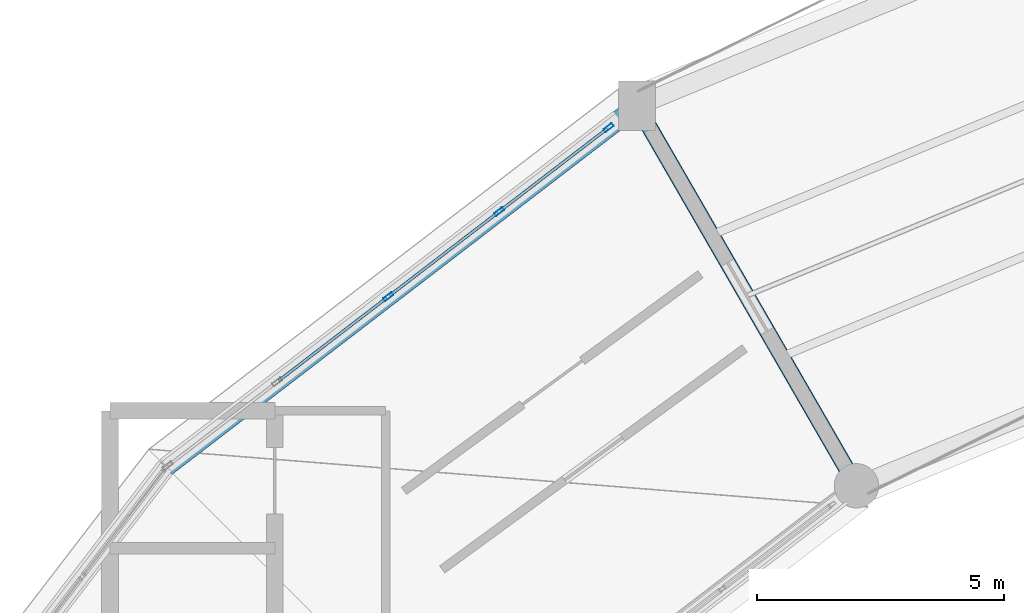
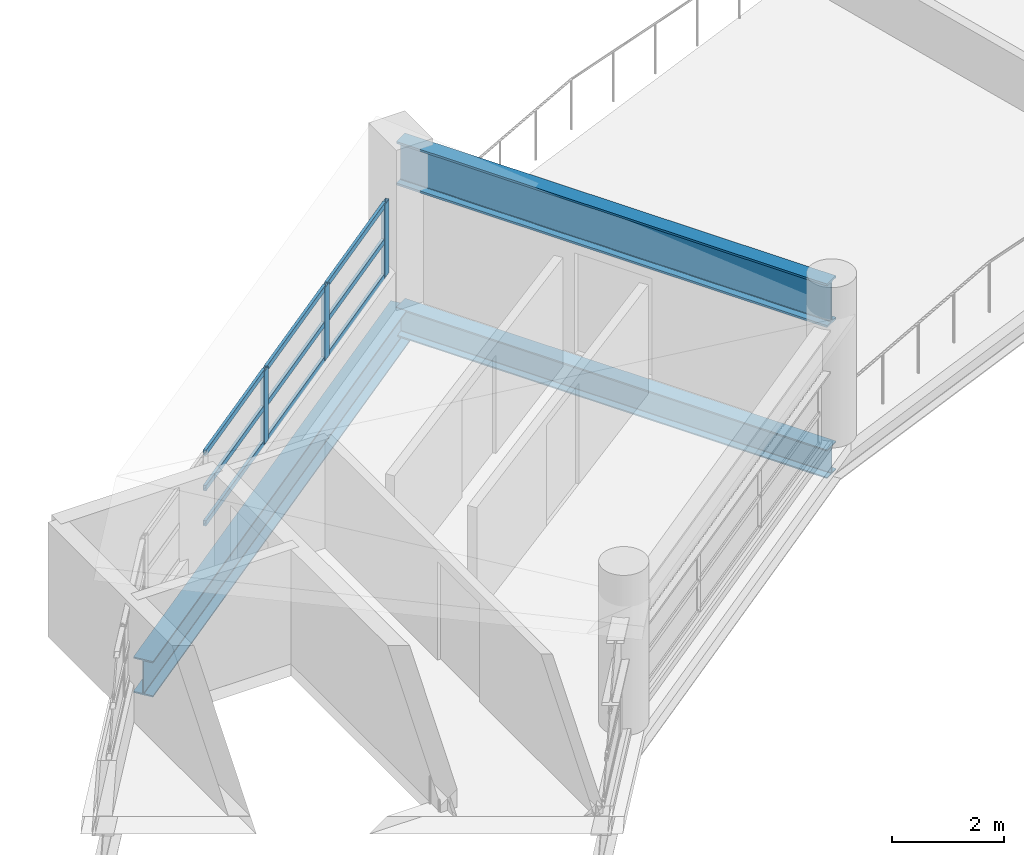
# One storey, part 6 of 12: 12 members, 3 beams, 1 element without a shape of its own.
"""IFC4 building model written with IfcOpenShell, lengths in metres."""

from ifc_helpers import new_model, si_unit, direction, frame, origin, origin_2d, place, context, subcontext, project, spatial, hollow_rectangle, i_section, extrude, material, layer, layer_set, material_profile, profile_set, type_object, element, aggregate, save


model = new_model("IFC4")

# Units and contexts
model_context = context("Model", 3, precision=1e-05, world=origin(), true_north=direction((0.0, 1.0)))
body_context = subcontext(model_context, "Body", "Model", "MODEL_VIEW")
ifc_project = project(units=[si_unit("LENGTHUNIT", "METRE"), si_unit("AREAUNIT", "SQUARE_METRE"), si_unit("VOLUMEUNIT", "CUBIC_METRE"), si_unit("PLANEANGLEUNIT", "RADIAN"), si_unit("MASSUNIT", "GRAM", prefix="KILO")], contexts=[model_context])

# Site, building, storey
site_placement = place(None, origin())
site = spatial("IfcSite", under=ifc_project, at=site_placement, CompositionType="ELEMENT")
building_placement = place(site_placement, origin())
building = spatial("IfcBuilding", under=site, at=building_placement, Name="Vespera Passage Community Centre", CompositionType="ELEMENT")
storey_placement = place(building_placement, frame((0.0, 0.0, 24.300048828125)))
storey = spatial("IfcBuildingStorey", under=building, at=storey_placement, Name="ROOF", CompositionType="ELEMENT", Elevation=24.300048828125)

# Beams
ifc_material_1 = material(Name="Steel ASTM A992 Grade 50", Category="steel")
ifc_material_profile_1 = material_profile(ifc_material_1, i_section(OverallWidth=0.32763671875, OverallDepth=0.62841796875, WebThickness=0.0166015625, FlangeThickness=0.027587890625, FilletRadius=0.0126953125, at=origin_2d()), Name="W24X146")
ifc_profile_set_1 = profile_set([ifc_material_profile_1], Name="Steel ASTM A992 Grade 50")
beam_type_1 = type_object("IfcBeamType", Name="BM-G-W24X146", PredefinedType="BEAM", material=ifc_profile_set_1)
beam_1_placement = place(storey_placement, frame((59.39990234375, 97.716064453125, -0.57421875), z_axis=(-0.499989191739, 0.866031643847, 0.0), x_axis=(-0.866031643847, -0.499989191739, 0.0)))
element("IfcBeam", 1, at=beam_1_placement, inside=storey, type_object=beam_type_1, Name="V4 ROOF Radial Girder 8", PredefinedType="BEAM", context=body_context, shape_type="SweptSolid", body=[
    extrude(i_section(OverallWidth=0.32763671875, OverallDepth=0.62841796875, WebThickness=0.0166015625, FlangeThickness=0.027587890625, FilletRadius=0.0126953125, at=origin_2d()), origin(), (0.0, 0.0, 1.0), 8.900146484375),
])
ifc_material_2 = material(Name="Steel ASTM A992 Grade 50", Category="steel")
ifc_material_profile_2 = material_profile(ifc_material_2, i_section(OverallWidth=0.382080078125, OverallDepth=0.779296875, WebThickness=0.01806640625, FlangeThickness=0.030029296875, FilletRadius=0.0166015625, at=origin_2d()), Name="W30X191")
ifc_profile_set_2 = profile_set([ifc_material_profile_2], Name="Steel ASTM A992 Grade 50")
beam_type_2 = type_object("IfcBeamType", Name="BM-SP-W30X191E", PredefinedType="SPANDREL", material=ifc_profile_set_2)
beam_2_placement = place(storey_placement, frame((54.949951171875, 105.423828125, -0.649658203125), z_axis=(-0.793351934501, -0.608763261066, 0.0), x_axis=(0.608763261066, -0.793351934501, 0.0)))
element("IfcBeam", 2, at=beam_2_placement, inside=storey, type_object=beam_type_2, Name="V4 ROOF Outer Spandrel 8", PredefinedType="SPANDREL", context=body_context, shape_type="SweptSolid", body=[
    extrude(i_section(OverallWidth=0.382080078125, OverallDepth=0.779296875, WebThickness=0.01806640625, FlangeThickness=0.030029296875, FilletRadius=0.0166015625, at=origin_2d()), origin(), (0.0, 0.0, 1.0), 12.034423828125),
])

# Curtain wall, members
ifc_material_3 = material(Name="Anodized aluminium 6063-T6", Category="aluminium")
ifc_layer = layer(ifc_material_3, 0.159912109375)
ifc_layer_set = layer_set([ifc_layer], Name="Anodized aluminium 6063-T6")
curtain_wall_type = type_object("IfcCurtainWallType", Name="CW-79E", PredefinedType="NOTDEFINED", material=ifc_layer_set)
curtain_wall_placement = place(storey_placement, origin())
curtain_wall = element("IfcCurtainWall", 3, at=curtain_wall_placement, inside=storey, type_object=curtain_wall_type, Name="V4 ROOF Outer Ribbon Curtain Wall 8", PredefinedType="NOTDEFINED")
ifc_material_4 = material(Name="Anodized aluminium 6063-T6", Category="aluminium")
ifc_material_profile_3 = material_profile(ifc_material_4, hollow_rectangle(XDim=0.074951171875, YDim=0.2099609375, WallThickness=0.0048828125, InnerFilletRadius=0.00244140625, OuterFilletRadius=0.0048828125, at=origin_2d()), Name="ALU210X75X5")
ifc_profile_set_3 = profile_set([ifc_material_profile_3], Name="Anodized aluminium 6063-T6")
member_type_1 = type_object("IfcMemberType", Name="MB-CWM-210E", PredefinedType="MULLION", material=ifc_profile_set_3)
member_1_placement = place(storey_placement, frame((49.9033203125, 101.551513671875, 0.820068359375), z_axis=(0.0, 0.0, 1.0), x_axis=(-0.608768221519, 0.793348128169, 0.0)))
member_1 = element("IfcMember", 4, at=member_1_placement, type_object=member_type_1, Name="CW-79E mullion 3", PredefinedType="MULLION", context=body_context, shape_type="SweptSolid", body=[
    extrude(hollow_rectangle(XDim=0.074951171875, YDim=0.2099609375, WallThickness=0.0048828125, InnerFilletRadius=0.00244140625, OuterFilletRadius=0.0048828125, at=origin_2d()), origin(), (0.0, 0.0, 1.0), 1.599853515625),
])
member_2_placement = place(storey_placement, frame((52.15380859375, 103.2783203125, 0.820068359375), z_axis=(0.0, 0.0, 1.0), x_axis=(-0.608768221519, 0.793348128169, 0.0)))
member_2 = element("IfcMember", 5, at=member_2_placement, type_object=member_type_1, Name="CW-79E mullion 4", PredefinedType="MULLION", context=body_context, shape_type="SweptSolid", body=[
    extrude(hollow_rectangle(XDim=0.074951171875, YDim=0.2099609375, WallThickness=0.0048828125, InnerFilletRadius=0.00244140625, OuterFilletRadius=0.0048828125, at=origin_2d()), origin(), (0.0, 0.0, 1.0), 1.599853515625),
])
member_3_placement = place(storey_placement, frame((54.374755859375, 104.982421875, 0.820068359375), z_axis=(0.0, 0.0, 1.0), x_axis=(-0.608768221519, 0.793348128169, 0.0)))
member_3 = element("IfcMember", 6, at=member_3_placement, type_object=member_type_1, Name="CW-79E mullion 5", PredefinedType="MULLION", context=body_context, shape_type="SweptSolid", body=[
    extrude(hollow_rectangle(XDim=0.074951171875, YDim=0.2099609375, WallThickness=0.0048828125, InnerFilletRadius=0.00244140625, OuterFilletRadius=0.0048828125, at=origin_2d()), origin(), (0.0, 0.0, 1.0), 1.599853515625),
])
ifc_material_5 = material(Name="Anodized aluminium 6063-T6", Category="aluminium")
ifc_material_profile_4 = material_profile(ifc_material_5, hollow_rectangle(XDim=0.06005859375, YDim=0.1201171875, WallThickness=0.00390625, InnerFilletRadius=0.001953125, OuterFilletRadius=0.00390625, at=origin_2d()), Name="ALU120X60X4")
ifc_profile_set_4 = profile_set([ifc_material_profile_4], Name="Anodized aluminium 6063-T6")
member_type_2 = type_object("IfcMemberType", Name="MB-CWT-120E", PredefinedType="USERDEFINED", material=ifc_profile_set_4)
member_4_placement = place(storey_placement, frame((47.6826171875, 99.847412109375, 0.849853515625), z_axis=(0.793353015375, 0.608761852448, 0.0), x_axis=(-0.608761852448, 0.793353015375, 0.0)))
member_4 = element("IfcMember", 7, at=member_4_placement, type_object=member_type_2, Name="CW-79E transom 2.1", ObjectType="TRANSOM", PredefinedType="USERDEFINED", context=body_context, shape_type="SweptSolid", body=[
    extrude(hollow_rectangle(XDim=0.06005859375, YDim=0.1201171875, WallThickness=0.00390625, InnerFilletRadius=0.001953125, OuterFilletRadius=0.00390625, at=origin_2d()), origin(), (0.0, 0.0, 1.0), 2.761474609375),
])
member_5_placement = place(storey_placement, frame((47.6826171875, 99.847412109375, 1.619873046875), z_axis=(0.793353015375, 0.608761852448, 0.0), x_axis=(-0.608761852448, 0.793353015375, 0.0)))
member_5 = element("IfcMember", 8, at=member_5_placement, type_object=member_type_2, Name="CW-79E transom 2.2", ObjectType="TRANSOM", PredefinedType="USERDEFINED", context=body_context, shape_type="SweptSolid", body=[
    extrude(hollow_rectangle(XDim=0.06005859375, YDim=0.1201171875, WallThickness=0.00390625, InnerFilletRadius=0.001953125, OuterFilletRadius=0.00390625, at=origin_2d()), origin(), (0.0, 0.0, 1.0), 2.761474609375),
])
member_6_placement = place(storey_placement, frame((47.6826171875, 99.847412109375, 2.389892578125), z_axis=(0.793353015375, 0.608761852448, 0.0), x_axis=(-0.608761852448, 0.793353015375, 0.0)))
member_6 = element("IfcMember", 9, at=member_6_placement, type_object=member_type_2, Name="CW-79E transom 2.3", ObjectType="TRANSOM", PredefinedType="USERDEFINED", context=body_context, shape_type="SweptSolid", body=[
    extrude(hollow_rectangle(XDim=0.06005859375, YDim=0.1201171875, WallThickness=0.00390625, InnerFilletRadius=0.001953125, OuterFilletRadius=0.00390625, at=origin_2d()), origin(), (0.0, 0.0, 1.0), 2.761474609375),
])
member_7_placement = place(storey_placement, frame((49.93310546875, 101.57421875, 0.849853515625), z_axis=(0.793385774295, 0.60871915786, 0.0), x_axis=(-0.60871915786, 0.793385774295, 0.0)))
member_7 = element("IfcMember", 10, at=member_7_placement, type_object=member_type_2, Name="CW-79E transom 3.1", ObjectType="TRANSOM", PredefinedType="USERDEFINED", context=body_context, shape_type="SweptSolid", body=[
    extrude(hollow_rectangle(XDim=0.06005859375, YDim=0.1201171875, WallThickness=0.00390625, InnerFilletRadius=0.001953125, OuterFilletRadius=0.00390625, at=origin_2d()), origin(), (0.0, 0.0, 1.0), 2.76171875),
])
member_8_placement = place(storey_placement, frame((49.93310546875, 101.57421875, 1.619873046875), z_axis=(0.793385774295, 0.60871915786, 0.0), x_axis=(-0.60871915786, 0.793385774295, 0.0)))
member_8 = element("IfcMember", 11, at=member_8_placement, type_object=member_type_2, Name="CW-79E transom 3.2", ObjectType="TRANSOM", PredefinedType="USERDEFINED", context=body_context, shape_type="SweptSolid", body=[
    extrude(hollow_rectangle(XDim=0.06005859375, YDim=0.1201171875, WallThickness=0.00390625, InnerFilletRadius=0.001953125, OuterFilletRadius=0.00390625, at=origin_2d()), origin(), (0.0, 0.0, 1.0), 2.76171875),
])
member_9_placement = place(storey_placement, frame((49.93310546875, 101.57421875, 2.389892578125), z_axis=(0.793385774295, 0.60871915786, 0.0), x_axis=(-0.60871915786, 0.793385774295, 0.0)))
member_9 = element("IfcMember", 12, at=member_9_placement, type_object=member_type_2, Name="CW-79E transom 3.3", ObjectType="TRANSOM", PredefinedType="USERDEFINED", context=body_context, shape_type="SweptSolid", body=[
    extrude(hollow_rectangle(XDim=0.06005859375, YDim=0.1201171875, WallThickness=0.00390625, InnerFilletRadius=0.001953125, OuterFilletRadius=0.00390625, at=origin_2d()), origin(), (0.0, 0.0, 1.0), 2.76171875),
])
member_10_placement = place(storey_placement, frame((52.18359375, 103.301025390625, 0.849853515625), z_axis=(0.793359651626, 0.608753203829, 0.0), x_axis=(-0.608753203829, 0.793359651626, 0.0)))
member_10 = element("IfcMember", 13, at=member_10_placement, type_object=member_type_2, Name="CW-79E transom 4.1", ObjectType="TRANSOM", PredefinedType="USERDEFINED", context=body_context, shape_type="SweptSolid", body=[
    extrude(hollow_rectangle(XDim=0.06005859375, YDim=0.1201171875, WallThickness=0.00390625, InnerFilletRadius=0.001953125, OuterFilletRadius=0.00390625, at=origin_2d()), origin(), (0.0, 0.0, 1.0), 2.724365234375),
])
member_11_placement = place(storey_placement, frame((52.18359375, 103.301025390625, 1.619873046875), z_axis=(0.793359651626, 0.608753203829, 0.0), x_axis=(-0.608753203829, 0.793359651626, 0.0)))
member_11 = element("IfcMember", 14, at=member_11_placement, type_object=member_type_2, Name="CW-79E transom 4.2", ObjectType="TRANSOM", PredefinedType="USERDEFINED", context=body_context, shape_type="SweptSolid", body=[
    extrude(hollow_rectangle(XDim=0.06005859375, YDim=0.1201171875, WallThickness=0.00390625, InnerFilletRadius=0.001953125, OuterFilletRadius=0.00390625, at=origin_2d()), origin(), (0.0, 0.0, 1.0), 2.724365234375),
])
member_12_placement = place(storey_placement, frame((52.18359375, 103.301025390625, 2.389892578125), z_axis=(0.793359651626, 0.608753203829, 0.0), x_axis=(-0.608753203829, 0.793359651626, 0.0)))
member_12 = element("IfcMember", 15, at=member_12_placement, type_object=member_type_2, Name="CW-79E transom 4.3", ObjectType="TRANSOM", PredefinedType="USERDEFINED", context=body_context, shape_type="SweptSolid", body=[
    extrude(hollow_rectangle(XDim=0.06005859375, YDim=0.1201171875, WallThickness=0.00390625, InnerFilletRadius=0.001953125, OuterFilletRadius=0.00390625, at=origin_2d()), origin(), (0.0, 0.0, 1.0), 2.724365234375),
])
aggregate(curtain_wall, [member_1, member_2, member_3, member_4, member_5, member_6, member_7, member_8, member_9, member_10, member_11, member_12])

# Beam
ifc_material_6 = material(Name="Steel ASTM A992 Grade 50", Category="steel")
ifc_material_profile_5 = material_profile(ifc_material_6, i_section(OverallWidth=0.310302734375, OverallDepth=0.950439453125, WebThickness=0.0244140625, FlangeThickness=0.0439453125, FilletRadius=0.024169921875, at=origin_2d()), Name="W36X256")
ifc_profile_set_5 = profile_set([ifc_material_profile_5], Name="Steel ASTM A992 Grade 50")
beam_type_3 = type_object("IfcBeamType", Name="TG-256", PredefinedType="USERDEFINED", material=ifc_profile_set_5)
beam_3_placement = place(storey_placement, frame((59.39990234375, 97.716064453125, 2.8798828125), z_axis=(-0.499989191739, 0.866031643847, 0.0), x_axis=(-0.866031643847, -0.499989191739, 0.0)))
element("IfcBeam", 16, at=beam_3_placement, inside=storey, type_object=beam_type_3, Name="ROOF Belvedere Radial Rafter Girder 8", ObjectType="TRANSFER GIRDER", PredefinedType="USERDEFINED", context=body_context, shape_type="SweptSolid", body=[
    extrude(i_section(OverallWidth=0.310302734375, OverallDepth=0.950439453125, WebThickness=0.0244140625, FlangeThickness=0.0439453125, FilletRadius=0.024169921875, at=origin_2d()), origin(), (0.0, 0.0, 1.0), 8.900146484375),
])

save(model, "model.ifc")
